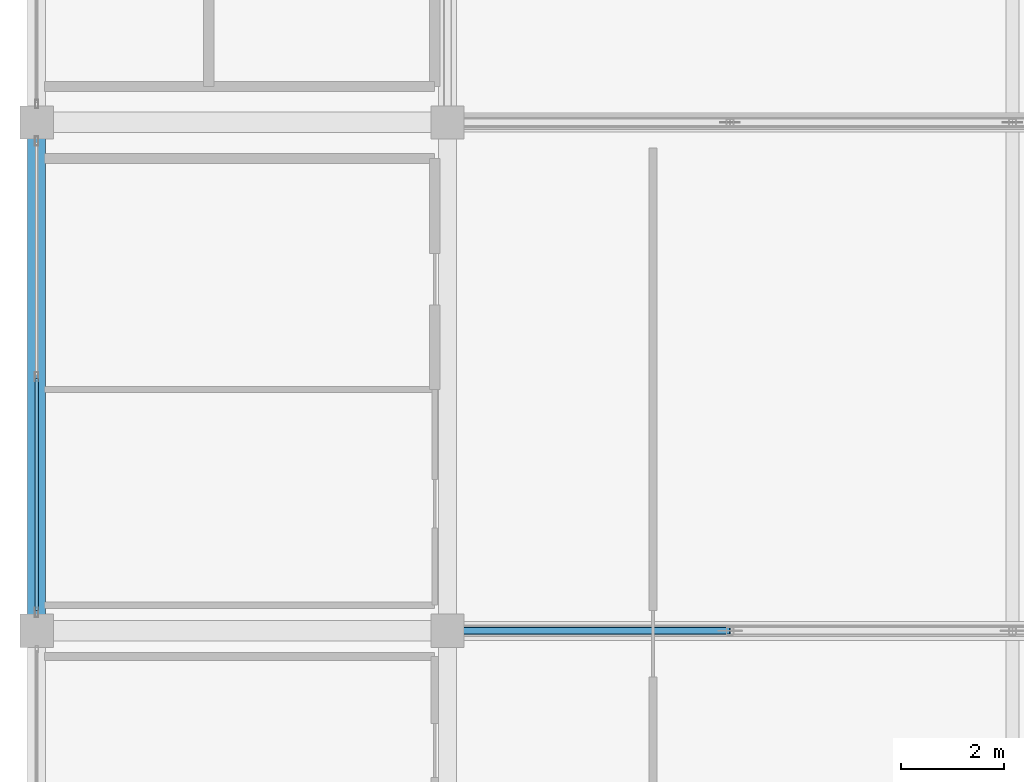
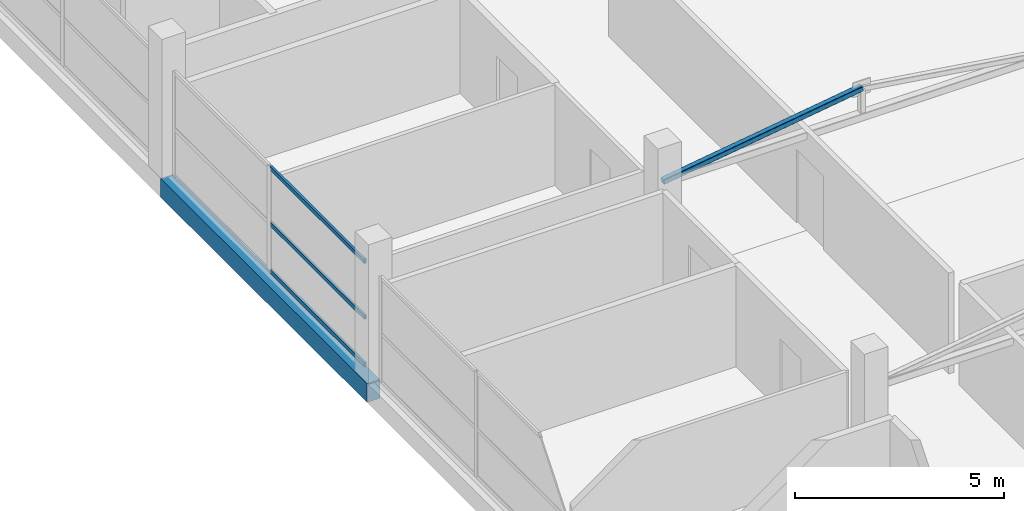
# One storey, part 23 of 70: 4 members, 1 beam, 1 element without a shape of its own.
"""IFC4 building model written with IfcOpenShell, lengths in metres."""

from ifc_helpers import new_model, si_unit, direction, frame, origin, origin_2d, place, context, subcontext, project, spatial, rectangle, hollow_rectangle, extrude, material, layer, layer_set, material_profile, profile_set, type_object, element, aggregate, save


model = new_model("IFC4")

# Units and contexts
model_context = context("Model", 3, precision=1e-05, world=origin(), true_north=direction((0.0, 1.0)))
body_context = subcontext(model_context, "Body", "Model", "MODEL_VIEW")
ifc_project = project(units=[si_unit("LENGTHUNIT", "METRE"), si_unit("AREAUNIT", "SQUARE_METRE"), si_unit("VOLUMEUNIT", "CUBIC_METRE"), si_unit("PLANEANGLEUNIT", "RADIAN"), si_unit("MASSUNIT", "GRAM", prefix="KILO")], contexts=[model_context])

# Site, building, storey
site_placement = place(None, origin())
site = spatial("IfcSite", under=ifc_project, at=site_placement, CompositionType="ELEMENT")
building_placement = place(site_placement, origin())
building = spatial("IfcBuilding", under=site, at=building_placement, Name="Sillaruma Civic Art Gallery", CompositionType="ELEMENT")
storey_placement = place(building_placement, frame((0.0, 0.0, 66.300048828125)))
storey = spatial("IfcBuildingStorey", under=building, at=storey_placement, Name="L13", CompositionType="ELEMENT", Elevation=66.300048828125)

# Beam
ifc_material_1 = material(Name="Concrete H35 (35 MPa)", Category="concrete")
ifc_material_profile_1 = material_profile(ifc_material_1, rectangle(XDim=0.35009765625, YDim=0.550048828125, at=origin_2d()), Name="RCB350x550")
ifc_profile_set_1 = profile_set([ifc_material_profile_1], Name="Concrete H35 (35 MPa)")
beam_type = type_object("IfcBeamType", Name="BM-SPANDREL-RCB350x550", PredefinedType="SPANDREL", material=ifc_profile_set_1)
beam_placement = place(storey_placement, frame((62.0, 59.39990234375, -0.505126953125), z_axis=(0.0, 1.0, 0.0), x_axis=(-1.0, 0.0, 0.0)))
element("IfcBeam", 1, at=beam_placement, inside=storey, type_object=beam_type, Name="Beam BS-04 (L12:F:7-8)", PredefinedType="SPANDREL", context=body_context, shape_type="SweptSolid", body=[
    extrude(rectangle(XDim=0.35009765625, YDim=0.550048828125, at=origin_2d()), origin(), (0.0, 0.0, 1.0), 9.900146484375),
])

# Member
ifc_material_2 = material(Name="Structural Steel ASTM A500 Gr.C", Category="steel")
ifc_material_profile_2 = material_profile(ifc_material_2, hollow_rectangle(XDim=0.14990234375, YDim=0.14990234375, WallThickness=0.010009765625, InnerFilletRadius=0.010009765625, OuterFilletRadius=0.02001953125, at=origin_2d()), Name="HSS150x150x10")
ifc_profile_set_2 = profile_set([ifc_material_profile_2], Name="Structural Steel ASTM A500 Gr.C")
member_type_1 = type_object("IfcMemberType", Name="MEM-BRACE-HSS150x150x10", PredefinedType="BRACE", material=ifc_profile_set_2)
member_1_placement = place(storey_placement, frame((70.0, 59.39990234375, 2.83984375), z_axis=(0.989377720719, 0.0, 0.145367553959), x_axis=(0.0, 1.0, 0.0)))
element("IfcMember", 2, at=member_1_placement, inside=storey, type_object=member_type_1, Name="Warren Truss Diagonal TR-L13-2-D1", PredefinedType="BRACE", context=body_context, shape_type="SweptSolid", body=[
    extrude(hollow_rectangle(XDim=0.14990234375, YDim=0.14990234375, WallThickness=0.010009765625, InnerFilletRadius=0.010009765625, OuterFilletRadius=0.02001953125, at=origin_2d()), origin(), (0.0, 0.0, 1.0), 5.55908203125),
])

# Curtain wall, members
ifc_material_3 = material(Name="Thermally Broken Extruded Aluminium 6063-T6", Category="aluminium")
ifc_layer = layer(ifc_material_3, 0.179931640625, Name="Thermally Broken Extruded Aluminium 6063-T6")
ifc_layer_set = layer_set([ifc_layer], Name="Thermally Broken Extruded Aluminium 6063-T6")
curtain_wall_type = type_object("IfcCurtainWallType", Name="CW-UNI-92", PredefinedType="NOTDEFINED", material=ifc_layer_set)
curtain_wall_placement = place(storey_placement, origin())
curtain_wall = element("IfcCurtainWall", 3, at=curtain_wall_placement, inside=storey, type_object=curtain_wall_type, Name="Unitised Curtain Wall CW-92 (CW-L13-WBW-5)", PredefinedType="NOTDEFINED")
ifc_material_profile_3 = material_profile(ifc_material_3, hollow_rectangle(XDim=0.06494140625, YDim=0.1201171875, WallThickness=0.00341796875, at=origin_2d()), Name="CWT65x120")
ifc_profile_set_3 = profile_set([ifc_material_profile_3], Name="Thermally Broken Extruded Aluminium 6063-T6")
member_type_2 = type_object("IfcMemberType", Name="MEM-TRN-CWT65x120", PredefinedType="USERDEFINED", material=ifc_profile_set_3)
member_2_placement = place(storey_placement, frame((62.0, 59.794921875, 0.032470703125), z_axis=(0.0, 1.0, 0.0), x_axis=(-1.0, 0.0, 0.0)))
member_2 = element("IfcMember", 4, at=member_2_placement, type_object=member_type_2, Name="CW-92 transom 1.1", ObjectType="TRANSOM", PredefinedType="USERDEFINED", context=body_context, shape_type="SweptSolid", body=[
    extrude(hollow_rectangle(XDim=0.06494140625, YDim=0.1201171875, WallThickness=0.00341796875, at=origin_2d()), origin(), (0.0, 0.0, 1.0), 4.52001953125),
])
member_3_placement = place(storey_placement, frame((62.0, 59.794921875, 1.416748046875), z_axis=(0.0, 1.0, 0.0), x_axis=(-1.0, 0.0, 0.0)))
member_3 = element("IfcMember", 5, at=member_3_placement, type_object=member_type_2, Name="CW-92 transom 1.2", ObjectType="TRANSOM", PredefinedType="USERDEFINED", context=body_context, shape_type="SweptSolid", body=[
    extrude(hollow_rectangle(XDim=0.06494140625, YDim=0.1201171875, WallThickness=0.00341796875, at=origin_2d()), origin(), (0.0, 0.0, 1.0), 4.52001953125),
])
member_4_placement = place(storey_placement, frame((62.0, 59.794921875, 3.04736328125), z_axis=(0.0, 1.0, 0.0), x_axis=(-1.0, 0.0, 0.0)))
member_4 = element("IfcMember", 6, at=member_4_placement, type_object=member_type_2, Name="CW-92 transom 1.3", ObjectType="TRANSOM", PredefinedType="USERDEFINED", context=body_context, shape_type="SweptSolid", body=[
    extrude(hollow_rectangle(XDim=0.06494140625, YDim=0.1201171875, WallThickness=0.00341796875, at=origin_2d()), origin(), (0.0, 0.0, 1.0), 4.52001953125),
])
aggregate(curtain_wall, [member_2, member_3, member_4])

save(model, "model.ifc")
